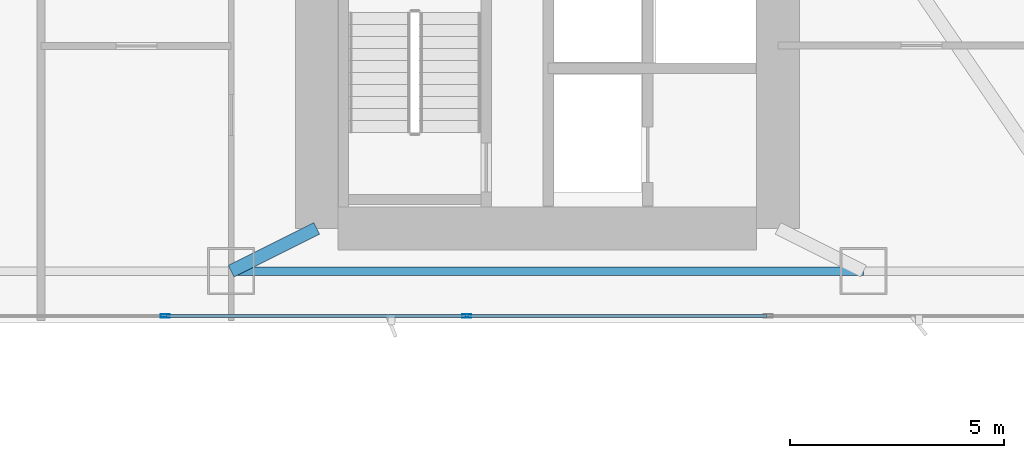
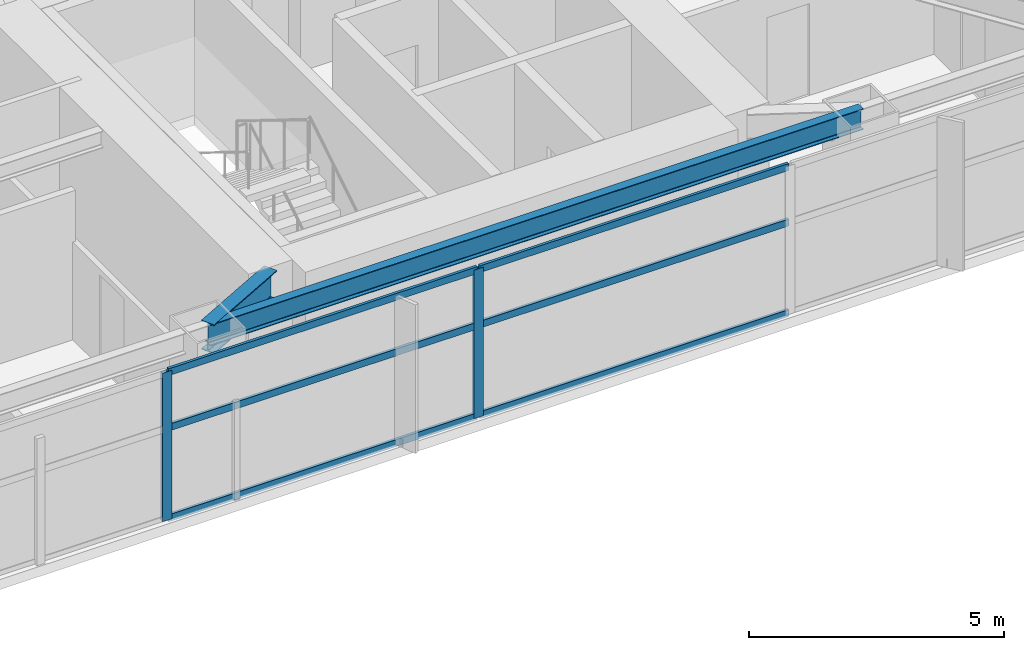
# One storey, part 6 of 29: 8 members, 2 beams, 1 element without a shape of its own.
"""IFC4 building model written with IfcOpenShell, lengths in metres."""

from ifc_helpers import new_model, si_unit, direction, frame, origin, origin_2d, place, context, subcontext, project, spatial, hollow_rectangle, i_section, extrude, material, layer, layer_set, material_profile, profile_set, type_object, element, aggregate, save


model = new_model("IFC4")

# Units and contexts
model_context = context("Model", 3, precision=1e-05, world=origin(), true_north=direction((0.0, 1.0)))
body_context = subcontext(model_context, "Body", "Model", "MODEL_VIEW")
ifc_project = project(units=[si_unit("LENGTHUNIT", "METRE"), si_unit("AREAUNIT", "SQUARE_METRE"), si_unit("VOLUMEUNIT", "CUBIC_METRE"), si_unit("PLANEANGLEUNIT", "RADIAN"), si_unit("MASSUNIT", "GRAM", prefix="KILO")], contexts=[model_context])

# Site, building, storey
site_placement = place(None, origin())
site = spatial("IfcSite", under=ifc_project, at=site_placement, CompositionType="ELEMENT")
building_placement = place(site_placement, origin())
building = spatial("IfcBuilding", under=site, at=building_placement, Name="Calvorn Quay Hotel", CompositionType="ELEMENT")
storey_placement = place(building_placement, frame((0.0, 0.0, 38.39990234375)))
storey = spatial("IfcBuildingStorey", under=building, at=storey_placement, Name="L08", CompositionType="ELEMENT", Elevation=38.39990234375)

# Beams
ifc_material_1 = material(Name="Steel Q390GJC", Category="steel")
ifc_material_profile_1 = material_profile(ifc_material_1, i_section(OverallWidth=0.300048828125, OverallDepth=0.699951171875, WebThickness=0.012939453125, FlangeThickness=0.02392578125, FilletRadius=0.02392578125, at=origin_2d()), Name="HN700x300x13x24")
ifc_profile_set_1 = profile_set([ifc_material_profile_1], Name="Steel Q390GJC")
beam_type_1 = type_object("IfcBeamType", Name="BM-GIRD-MAIN", PredefinedType="BEAM", material=ifc_profile_set_1)
beam_1_placement = place(storey_placement, frame((19.60009765625, 3.60009765625, 3.190185546875), z_axis=(0.894427191, 0.4472135955, 0.0), x_axis=(-0.4472135955, 0.894427191, 0.0)))
element("IfcBeam", 1, at=beam_1_placement, inside=storey, type_object=beam_type_1, Name="Beam BG-L08-S2", PredefinedType="BEAM", context=body_context, shape_type="SweptSolid", body=[
    extrude(i_section(OverallWidth=0.300048828125, OverallDepth=0.699951171875, WebThickness=0.012939453125, FlangeThickness=0.02392578125, FilletRadius=0.02392578125, at=origin_2d()), origin(), (0.0, 0.0, 1.0), 2.236083984375),
])
ifc_material_2 = material(Name="Steel Q355B", Category="steel")
ifc_material_profile_2 = material_profile(ifc_material_2, i_section(OverallWidth=0.199951171875, OverallDepth=0.5, WebThickness=0.010009765625, FlangeThickness=0.01611328125, FilletRadius=0.01611328125, at=origin_2d()), Name="HN500x200x10x16")
ifc_profile_set_2 = profile_set([ifc_material_profile_2], Name="Steel Q355B")
beam_type_2 = type_object("IfcBeamType", Name="BM-SPANDREL-Z1", PredefinedType="SPANDREL", material=ifc_profile_set_2)
beam_2_placement = place(storey_placement, frame((19.60009765625, 3.60009765625, 3.2900390625), z_axis=(1.0, 0.0, 0.0), x_axis=(0.0, 1.0, 0.0)))
element("IfcBeam", 2, at=beam_2_placement, inside=storey, type_object=beam_type_2, Name="Beam BSP-L08-S3", PredefinedType="SPANDREL", context=body_context, shape_type="SweptSolid", body=[
    extrude(i_section(OverallWidth=0.199951171875, OverallDepth=0.5, WebThickness=0.010009765625, FlangeThickness=0.01611328125, FilletRadius=0.01611328125, at=origin_2d()), origin(), (0.0, 0.0, 1.0), 14.7998046875),
])

# Curtain wall, members
ifc_material_3 = material(Name="Pale Anodised Aluminium and Low-E Glass", Category="aluminium")
ifc_layer = layer(ifc_material_3, 0.219970703125)
ifc_layer_set = layer_set([ifc_layer], Name="CW-SYS-Z1")
curtain_wall_type = type_object("IfcCurtainWallType", Name="CW-SYS-Z1", PredefinedType="NOTDEFINED", material=ifc_layer_set)
curtain_wall_placement = place(storey_placement, origin())
curtain_wall = element("IfcCurtainWall", 3, at=curtain_wall_placement, inside=storey, type_object=curtain_wall_type, Name="Tower South Waterfront Curtain Wall (L08)", PredefinedType="NOTDEFINED")
ifc_material_4 = material(Name="Pale Anodised Aluminium 6063-T6", Category="aluminium")
ifc_material_profile_3 = material_profile(ifc_material_4, hollow_rectangle(XDim=0.074951171875, YDim=0.219970703125, WallThickness=0.00439453125, at=origin_2d()), Name="ALU-M220x75x4.5")
ifc_profile_set_3 = profile_set([ifc_material_profile_3], Name="Pale Anodised Aluminium 6063-T6")
member_type_1 = type_object("IfcMemberType", Name="CW-SYS-Z1-MUL", PredefinedType="MULLION", material=ifc_profile_set_3)
member_1_placement = place(storey_placement, frame((18.05712890625, 2.550048828125, 0.0), z_axis=(0.0, 0.0, 1.0), x_axis=(0.0, 1.0, 0.0)))
member_1 = element("IfcMember", 4, at=member_1_placement, type_object=member_type_1, Name="CW-L08-S mullion 2", PredefinedType="MULLION", context=body_context, shape_type="SweptSolid", body=[
    extrude(hollow_rectangle(XDim=0.074951171875, YDim=0.219970703125, WallThickness=0.00439453125, at=origin_2d()), origin(), (0.0, 0.0, 1.0), 3.56005859375),
])
member_2_placement = place(storey_placement, frame((25.1142578125, 2.550048828125, 0.0), z_axis=(0.0, 0.0, 1.0), x_axis=(0.0, 1.0, 0.0)))
member_2 = element("IfcMember", 5, at=member_2_placement, type_object=member_type_1, Name="CW-L08-S mullion 3", PredefinedType="MULLION", context=body_context, shape_type="SweptSolid", body=[
    extrude(hollow_rectangle(XDim=0.074951171875, YDim=0.219970703125, WallThickness=0.00439453125, at=origin_2d()), origin(), (0.0, 0.0, 1.0), 3.56005859375),
])
ifc_material_5 = material(Name="Pale Anodised Aluminium 6063-T6", Category="aluminium")
ifc_material_profile_4 = material_profile(ifc_material_5, hollow_rectangle(XDim=0.06494140625, YDim=0.1650390625, WallThickness=0.00341796875, at=origin_2d()), Name="ALU-T165x65x3.5")
ifc_profile_set_4 = profile_set([ifc_material_profile_4], Name="Pale Anodised Aluminium 6063-T6")
member_type_2 = type_object("IfcMemberType", Name="CW-SYS-Z1-TRN", PredefinedType="USERDEFINED", material=ifc_profile_set_4)
member_3_placement = place(storey_placement, frame((18.087158203125, 2.550048828125, 0.030029296875), z_axis=(1.0, 0.0, 0.0), x_axis=(0.0, 1.0, 0.0)))
member_3 = element("IfcMember", 6, at=member_3_placement, type_object=member_type_2, Name="CW-L08-S transom 2.1", ObjectType="TRANSOM", PredefinedType="USERDEFINED", context=body_context, shape_type="SweptSolid", body=[
    extrude(hollow_rectangle(XDim=0.06494140625, YDim=0.1650390625, WallThickness=0.00341796875, at=origin_2d()), origin(), (0.0, 0.0, 1.0), 6.9970703125),
])
member_4_placement = place(storey_placement, frame((18.087158203125, 2.550048828125, 2.2001953125), z_axis=(1.0, 0.0, 0.0), x_axis=(0.0, 1.0, 0.0)))
member_4 = element("IfcMember", 7, at=member_4_placement, type_object=member_type_2, Name="CW-L08-S transom 2.2", ObjectType="TRANSOM", PredefinedType="USERDEFINED", context=body_context, shape_type="SweptSolid", body=[
    extrude(hollow_rectangle(XDim=0.06494140625, YDim=0.1650390625, WallThickness=0.00341796875, at=origin_2d()), origin(), (0.0, 0.0, 1.0), 6.9970703125),
])
member_5_placement = place(storey_placement, frame((18.087158203125, 2.550048828125, 3.530029296875), z_axis=(1.0, 0.0, 0.0), x_axis=(0.0, 1.0, 0.0)))
member_5 = element("IfcMember", 8, at=member_5_placement, type_object=member_type_2, Name="CW-L08-S transom 2.3", ObjectType="TRANSOM", PredefinedType="USERDEFINED", context=body_context, shape_type="SweptSolid", body=[
    extrude(hollow_rectangle(XDim=0.06494140625, YDim=0.1650390625, WallThickness=0.00341796875, at=origin_2d()), origin(), (0.0, 0.0, 1.0), 6.9970703125),
])
member_6_placement = place(storey_placement, frame((25.144287109375, 2.550048828125, 0.030029296875), z_axis=(1.0, 0.0, 0.0), x_axis=(0.0, 1.0, 0.0)))
member_6 = element("IfcMember", 9, at=member_6_placement, type_object=member_type_2, Name="CW-L08-S transom 3.1", ObjectType="TRANSOM", PredefinedType="USERDEFINED", context=body_context, shape_type="SweptSolid", body=[
    extrude(hollow_rectangle(XDim=0.06494140625, YDim=0.1650390625, WallThickness=0.00341796875, at=origin_2d()), origin(), (0.0, 0.0, 1.0), 6.9970703125),
])
member_7_placement = place(storey_placement, frame((25.144287109375, 2.550048828125, 2.2001953125), z_axis=(1.0, 0.0, 0.0), x_axis=(0.0, 1.0, 0.0)))
member_7 = element("IfcMember", 10, at=member_7_placement, type_object=member_type_2, Name="CW-L08-S transom 3.2", ObjectType="TRANSOM", PredefinedType="USERDEFINED", context=body_context, shape_type="SweptSolid", body=[
    extrude(hollow_rectangle(XDim=0.06494140625, YDim=0.1650390625, WallThickness=0.00341796875, at=origin_2d()), origin(), (0.0, 0.0, 1.0), 6.9970703125),
])
member_8_placement = place(storey_placement, frame((25.144287109375, 2.550048828125, 3.530029296875), z_axis=(1.0, 0.0, 0.0), x_axis=(0.0, 1.0, 0.0)))
member_8 = element("IfcMember", 11, at=member_8_placement, type_object=member_type_2, Name="CW-L08-S transom 3.3", ObjectType="TRANSOM", PredefinedType="USERDEFINED", context=body_context, shape_type="SweptSolid", body=[
    extrude(hollow_rectangle(XDim=0.06494140625, YDim=0.1650390625, WallThickness=0.00341796875, at=origin_2d()), origin(), (0.0, 0.0, 1.0), 6.9970703125),
])
aggregate(curtain_wall, [member_1, member_2, member_3, member_4, member_5, member_6, member_7, member_8])

save(model, "model.ifc")
